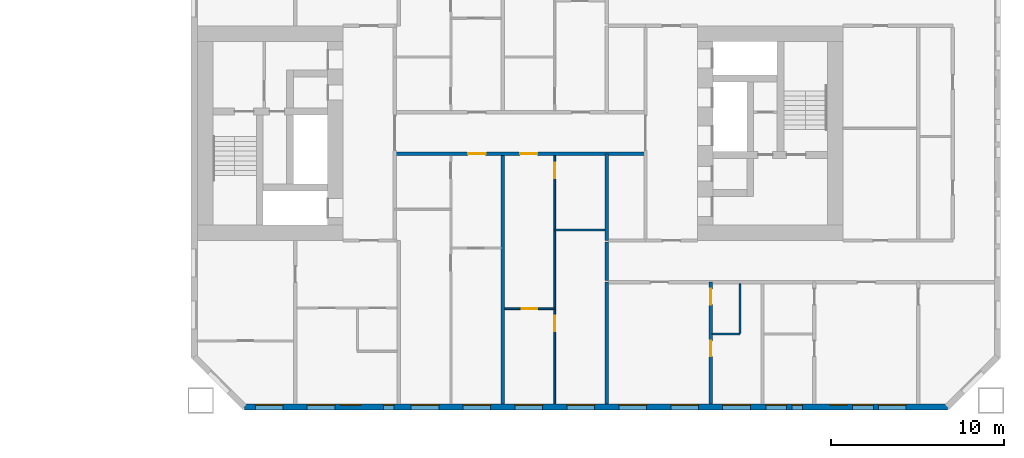
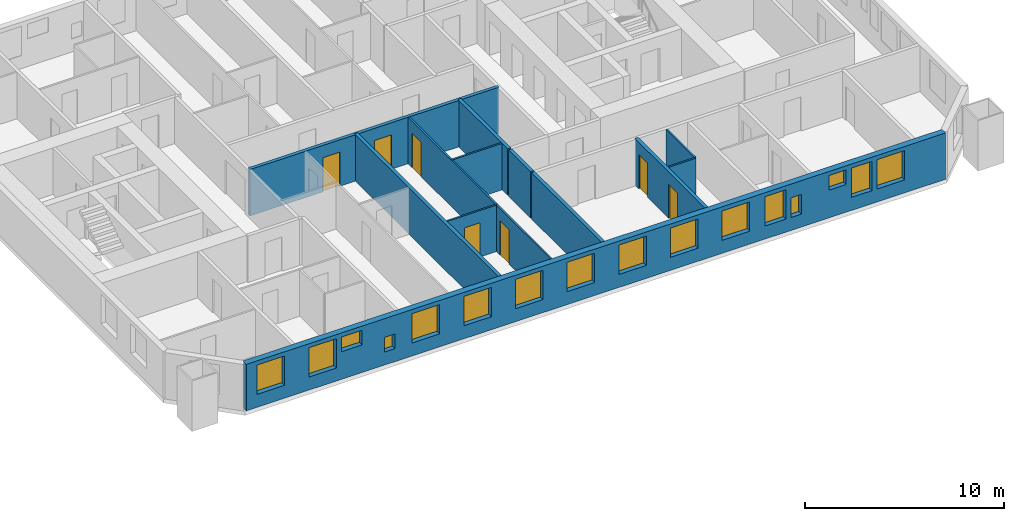
# One storey, part 11 of 17: 16 windows, 12 walls, 7 doors, 23 openings.
"""IFC4 building model written with IfcOpenShell, lengths in metres."""

from ifc_helpers import new_model, si_unit, direction, frame, frame_2d, origin, place, context, subcontext, project, spatial, rectangle, extrude, material, layer, layer_set, type_object, element, fill, save


model = new_model("IFC4")

# Units and contexts
model_context = context("Model", 3, precision=1e-05, world=origin(), true_north=direction((0.0, 1.0)))
body_context = subcontext(model_context, "Body", "Model", "MODEL_VIEW")
ifc_project = project(units=[si_unit("LENGTHUNIT", "METRE"), si_unit("AREAUNIT", "SQUARE_METRE"), si_unit("VOLUMEUNIT", "CUBIC_METRE"), si_unit("PLANEANGLEUNIT", "RADIAN"), si_unit("MASSUNIT", "GRAM", prefix="KILO")], contexts=[model_context])

# Site, building, storey
site_placement = place(None, origin())
site = spatial("IfcSite", under=ifc_project, at=site_placement, CompositionType="ELEMENT")
building_placement = place(site_placement, origin())
building = spatial("IfcBuilding", under=site, at=building_placement, Name="Tuart Gate Housing", CompositionType="ELEMENT")
storey_placement = place(building_placement, frame((0.0, 0.0, 25.699951171875)))
storey = spatial("IfcBuildingStorey", under=building, at=storey_placement, Name="L06", CompositionType="ELEMENT", Elevation=25.699951171875)

# Wall, openings, windows
ifc_material_1 = material(Name="Brick", Category="masonry")
ifc_layer_1 = layer(ifc_material_1, 0.360107421875)
ifc_layer_set_1 = layer_set([ifc_layer_1], Name="Brick pier and spandrel wall 360")
wall_type_1 = type_object("IfcWallType", Name="Brick pier and spandrel wall 360", PredefinedType="STANDARD", material=ifc_layer_set_1)
wall_1_placement = place(storey_placement, frame((134.07470703125, 54.179931640625, 0.0), z_axis=(0.0, 0.0, 1.0), x_axis=(1.0, 0.0, 0.0)))
wall_1 = element("IfcWall", 1, at=wall_1_placement, inside=storey, type_object=wall_type_1, Name="External wall B-S L06", PredefinedType="STANDARD", context=body_context, shape_type="SweptSolid", body=[
    extrude(rectangle(XDim=40.600830078125, YDim=0.360107421875, at=frame_2d((20.30029296875, 0.0))), origin(), (0.0, 0.0, 1.0), 2.85009765625),
])
opening_1_placement = place(wall_1_placement, frame((0.62548828125, 0.0, 0.800048828125)))
opening_1 = element("IfcOpeningElement", 2, at=opening_1_placement, cuts=wall_1, Name="Opening W1", PredefinedType="OPENING", context=body_context, shape_type="SweptSolid", body=[
    extrude(rectangle(XDim=1.60009765625, YDim=1.800048828125, at=frame_2d((0.800048828125, 0.89990234375))), frame((0.0, 0.18994140625, 0.0), z_axis=(0.0, -1.0, 0.0), x_axis=(1.0, 0.0, 0.0)), (0.0, 0.0, 1.0), 0.380126953125),
])
opening_2_placement = place(wall_1_placement, frame((3.62548828125, 0.0, 0.800048828125)))
opening_2 = element("IfcOpeningElement", 3, at=opening_2_placement, cuts=wall_1, Name="Opening W1", PredefinedType="OPENING", context=body_context, shape_type="SweptSolid", body=[
    extrude(rectangle(XDim=1.60009765625, YDim=1.800048828125, at=frame_2d((0.800048828125, 0.89990234375))), frame((0.0, 0.18994140625, 0.0), z_axis=(0.0, -1.0, 0.0), x_axis=(1.0, 0.0, 0.0)), (0.0, 0.0, 1.0), 0.380126953125),
])
opening_3_placement = place(wall_1_placement, frame((5.525390625, 0.0, 1.699951171875)))
opening_3 = element("IfcOpeningElement", 4, at=opening_3_placement, cuts=wall_1, Name="Opening W1T", PredefinedType="OPENING", context=body_context, shape_type="SweptSolid", body=[
    extrude(rectangle(XDim=1.199951171875, YDim=0.89990234375, at=frame_2d((0.60009765625, 0.449951171875))), frame((0.0, 0.18994140625, 0.0), z_axis=(0.0, -1.0, 0.0), x_axis=(1.0, 0.0, 0.0)), (0.0, 0.0, 1.0), 0.380126953125),
])
opening_4_placement = place(wall_1_placement, frame((9.62548828125, 0.0, 0.800048828125)))
opening_4 = element("IfcOpeningElement", 5, at=opening_4_placement, cuts=wall_1, Name="Opening W1", PredefinedType="OPENING", context=body_context, shape_type="SweptSolid", body=[
    extrude(rectangle(XDim=1.60009765625, YDim=1.800048828125, at=frame_2d((0.800048828125, 0.89990234375))), frame((0.0, 0.18994140625, 0.0), z_axis=(0.0, -1.0, 0.0), x_axis=(1.0, 0.0, 0.0)), (0.0, 0.0, 1.0), 0.380126953125),
])
opening_5_placement = place(wall_1_placement, frame((12.62548828125, 0.0, 0.800048828125)))
opening_5 = element("IfcOpeningElement", 6, at=opening_5_placement, cuts=wall_1, Name="Opening W1", PredefinedType="OPENING", context=body_context, shape_type="SweptSolid", body=[
    extrude(rectangle(XDim=1.60009765625, YDim=1.800048828125, at=frame_2d((0.800048828125, 0.89990234375))), frame((0.0, 0.18994140625, 0.0), z_axis=(0.0, -1.0, 0.0), x_axis=(1.0, 0.0, 0.0)), (0.0, 0.0, 1.0), 0.380126953125),
])
opening_6_placement = place(wall_1_placement, frame((15.62548828125, 0.0, 0.800048828125)))
opening_6 = element("IfcOpeningElement", 7, at=opening_6_placement, cuts=wall_1, Name="Opening W1", PredefinedType="OPENING", context=body_context, shape_type="SweptSolid", body=[
    extrude(rectangle(XDim=1.60009765625, YDim=1.800048828125, at=frame_2d((0.800048828125, 0.89990234375))), frame((0.0, 0.18994140625, 0.0), z_axis=(0.0, -1.0, 0.0), x_axis=(1.0, 0.0, 0.0)), (0.0, 0.0, 1.0), 0.380126953125),
])
opening_7_placement = place(wall_1_placement, frame((18.62548828125, 0.0, 0.800048828125)))
opening_7 = element("IfcOpeningElement", 8, at=opening_7_placement, cuts=wall_1, Name="Opening W1", PredefinedType="OPENING", context=body_context, shape_type="SweptSolid", body=[
    extrude(rectangle(XDim=1.60009765625, YDim=1.800048828125, at=frame_2d((0.800048828125, 0.89990234375))), frame((0.0, 0.18994140625, 0.0), z_axis=(0.0, -1.0, 0.0), x_axis=(1.0, 0.0, 0.0)), (0.0, 0.0, 1.0), 0.380126953125),
])
opening_8_placement = place(wall_1_placement, frame((21.62548828125, 0.0, 0.800048828125)))
opening_8 = element("IfcOpeningElement", 9, at=opening_8_placement, cuts=wall_1, Name="Opening W1", PredefinedType="OPENING", context=body_context, shape_type="SweptSolid", body=[
    extrude(rectangle(XDim=1.60009765625, YDim=1.800048828125, at=frame_2d((0.800048828125, 0.89990234375))), frame((0.0, 0.18994140625, 0.0), z_axis=(0.0, -1.0, 0.0), x_axis=(1.0, 0.0, 0.0)), (0.0, 0.0, 1.0), 0.380126953125),
])
opening_9_placement = place(wall_1_placement, frame((24.62548828125, 0.0, 0.800048828125)))
opening_9 = element("IfcOpeningElement", 10, at=opening_9_placement, cuts=wall_1, Name="Opening W1", PredefinedType="OPENING", context=body_context, shape_type="SweptSolid", body=[
    extrude(rectangle(XDim=1.60009765625, YDim=1.800048828125, at=frame_2d((0.800048828125, 0.89990234375))), frame((0.0, 0.18994140625, 0.0), z_axis=(0.0, -1.0, 0.0), x_axis=(1.0, 0.0, 0.0)), (0.0, 0.0, 1.0), 0.380126953125),
])
opening_10_placement = place(wall_1_placement, frame((27.62548828125, 0.0, 0.800048828125)))
opening_10 = element("IfcOpeningElement", 11, at=opening_10_placement, cuts=wall_1, Name="Opening W1", PredefinedType="OPENING", context=body_context, shape_type="SweptSolid", body=[
    extrude(rectangle(XDim=1.60009765625, YDim=1.800048828125, at=frame_2d((0.800048828125, 0.89990234375))), frame((0.0, 0.18994140625, 0.0), z_axis=(0.0, -1.0, 0.0), x_axis=(1.0, 0.0, 0.0)), (0.0, 0.0, 1.0), 0.380126953125),
])
opening_11_placement = place(wall_1_placement, frame((30.12548828125, 0.0, 0.800048828125)))
opening_11 = element("IfcOpeningElement", 12, at=opening_11_placement, cuts=wall_1, Name="Opening W1B", PredefinedType="OPENING", context=body_context, shape_type="SweptSolid", body=[
    extrude(rectangle(XDim=1.199951171875, YDim=1.800048828125, at=frame_2d((0.60009765625, 0.89990234375))), frame((0.0, 0.18994140625, 0.0), z_axis=(0.0, -1.0, 0.0), x_axis=(1.0, 0.0, 0.0)), (0.0, 0.0, 1.0), 0.380126953125),
])
opening_12_placement = place(wall_1_placement, frame((33.825439453125, 0.0, 1.699951171875)))
opening_12 = element("IfcOpeningElement", 13, at=opening_12_placement, cuts=wall_1, Name="Opening W1U", PredefinedType="OPENING", context=body_context, shape_type="SweptSolid", body=[
    extrude(rectangle(XDim=1.0, YDim=0.89990234375, at=frame_2d((0.5, 0.449951171875))), frame((0.0, 0.18994140625, 0.0), z_axis=(0.0, -1.0, 0.0), x_axis=(1.0, 0.0, 0.0)), (0.0, 0.0, 1.0), 0.380126953125),
])
opening_13_placement = place(wall_1_placement, frame((36.62548828125, 0.0, 0.800048828125)))
opening_13 = element("IfcOpeningElement", 14, at=opening_13_placement, cuts=wall_1, Name="Opening W1", PredefinedType="OPENING", context=body_context, shape_type="SweptSolid", body=[
    extrude(rectangle(XDim=1.60009765625, YDim=1.800048828125, at=frame_2d((0.800048828125, 0.89990234375))), frame((0.0, 0.18994140625, 0.0), z_axis=(0.0, -1.0, 0.0), x_axis=(1.0, 0.0, 0.0)), (0.0, 0.0, 1.0), 0.380126953125),
])
opening_14_placement = place(wall_1_placement, frame((8.025390625, 0.0, 0.800048828125)))
opening_14 = element("IfcOpeningElement", 15, at=opening_14_placement, cuts=wall_1, Name="Opening W1W", PredefinedType="OPENING", context=body_context, shape_type="SweptSolid", body=[
    extrude(rectangle(XDim=0.60009765625, YDim=0.89990234375, at=frame_2d((0.300048828125, 0.449951171875))), frame((0.0, 0.18994140625, 0.0), z_axis=(0.0, -1.0, 0.0), x_axis=(1.0, 0.0, 0.0)), (0.0, 0.0, 1.0), 0.380126953125),
])
opening_15_placement = place(wall_1_placement, frame((31.62548828125, 0.0, 0.800048828125)))
opening_15 = element("IfcOpeningElement", 16, at=opening_15_placement, cuts=wall_1, Name="Opening W1Q", PredefinedType="OPENING", context=body_context, shape_type="SweptSolid", body=[
    extrude(rectangle(XDim=0.60009765625, YDim=1.199951171875, at=frame_2d((0.300048828125, 0.60009765625))), frame((0.0, 0.18994140625, 0.0), z_axis=(0.0, -1.0, 0.0), x_axis=(1.0, 0.0, 0.0)), (0.0, 0.0, 1.0), 0.380126953125),
])
opening_16_placement = place(wall_1_placement, frame((35.12548828125, 0.0, 0.800048828125)))
opening_16 = element("IfcOpeningElement", 17, at=opening_16_placement, cuts=wall_1, Name="Opening W1B", PredefinedType="OPENING", context=body_context, shape_type="SweptSolid", body=[
    extrude(rectangle(XDim=1.199951171875, YDim=1.800048828125, at=frame_2d((0.60009765625, 0.89990234375))), frame((0.0, 0.18994140625, 0.0), z_axis=(0.0, -1.0, 0.0), x_axis=(1.0, 0.0, 0.0)), (0.0, 0.0, 1.0), 0.380126953125),
])
ifc_material_2 = material(Name="Aluminium frame with clear glass", Category="aluminium")
window_type_1 = type_object("IfcWindowType", Name="Punched window 1000 x 900", PartitioningType="SINGLE_PANEL", PredefinedType="WINDOW", material=ifc_material_2)
window_1_placement = place(opening_12_placement, origin())
window_1 = element("IfcWindow", 18, at=window_1_placement, inside=storey, type_object=window_type_1, Name="Window W1U", OverallHeight=0.89990234375, OverallWidth=1.0, PartitioningType="SINGLE_PANEL", PredefinedType="WINDOW", context=body_context, shape_type="SweptSolid", body=[
    extrude(rectangle(XDim=1.0, YDim=0.89990234375, at=frame_2d((0.5, 0.449951171875))), frame((0.0, 0.150146484375, 0.0), z_axis=(0.0, -1.0, 0.0), x_axis=(1.0, 0.0, 0.0)), (0.0, 0.0, 1.0), 0.06005859375),
])
fill(opening_12, window_1)
ifc_material_3 = material(Name="Aluminium frame with clear glass", Category="aluminium")
window_type_2 = type_object("IfcWindowType", Name="Punched window 1200 x 1800", PartitioningType="SINGLE_PANEL", PredefinedType="WINDOW", material=ifc_material_3)
window_2_placement = place(opening_11_placement, origin())
window_2 = element("IfcWindow", 19, at=window_2_placement, inside=storey, type_object=window_type_2, Name="Window W1B", OverallHeight=1.800048828125, OverallWidth=1.199951171875, PartitioningType="SINGLE_PANEL", PredefinedType="WINDOW", context=body_context, shape_type="SweptSolid", body=[
    extrude(rectangle(XDim=1.199951171875, YDim=1.800048828125, at=frame_2d((0.60009765625, 0.89990234375))), frame((0.0, 0.150146484375, 0.0), z_axis=(0.0, -1.0, 0.0), x_axis=(1.0, 0.0, 0.0)), (0.0, 0.0, 1.0), 0.06005859375),
])
fill(opening_11, window_2)
window_3_placement = place(opening_16_placement, origin())
window_3 = element("IfcWindow", 20, at=window_3_placement, inside=storey, type_object=window_type_2, Name="Window W1B", OverallHeight=1.800048828125, OverallWidth=1.199951171875, PartitioningType="SINGLE_PANEL", PredefinedType="WINDOW", context=body_context, shape_type="SweptSolid", body=[
    extrude(rectangle(XDim=1.199951171875, YDim=1.800048828125, at=frame_2d((0.60009765625, 0.89990234375))), frame((0.0, 0.150146484375, 0.0), z_axis=(0.0, -1.0, 0.0), x_axis=(1.0, 0.0, 0.0)), (0.0, 0.0, 1.0), 0.06005859375),
])
fill(opening_16, window_3)
ifc_material_4 = material(Name="Aluminium frame with clear glass", Category="aluminium")
window_type_3 = type_object("IfcWindowType", Name="Punched window 1200 x 900", PartitioningType="SINGLE_PANEL", PredefinedType="WINDOW", material=ifc_material_4)
window_4_placement = place(opening_3_placement, origin())
window_4 = element("IfcWindow", 21, at=window_4_placement, inside=storey, type_object=window_type_3, Name="Window W1T", OverallHeight=0.89990234375, OverallWidth=1.199951171875, PartitioningType="SINGLE_PANEL", PredefinedType="WINDOW", context=body_context, shape_type="SweptSolid", body=[
    extrude(rectangle(XDim=1.199951171875, YDim=0.89990234375, at=frame_2d((0.60009765625, 0.449951171875))), frame((0.0, 0.150146484375, 0.0), z_axis=(0.0, -1.0, 0.0), x_axis=(1.0, 0.0, 0.0)), (0.0, 0.0, 1.0), 0.06005859375),
])
fill(opening_3, window_4)
ifc_material_5 = material(Name="Aluminium frame with clear glass", Category="aluminium")
window_type_4 = type_object("IfcWindowType", Name="Punched window 1600 x 1800", PartitioningType="SINGLE_PANEL", PredefinedType="WINDOW", material=ifc_material_5)
window_5_placement = place(opening_1_placement, origin())
window_5 = element("IfcWindow", 22, at=window_5_placement, inside=storey, type_object=window_type_4, Name="Window W1", OverallHeight=1.800048828125, OverallWidth=1.60009765625, PartitioningType="SINGLE_PANEL", PredefinedType="WINDOW", context=body_context, shape_type="SweptSolid", body=[
    extrude(rectangle(XDim=1.60009765625, YDim=1.800048828125, at=frame_2d((0.800048828125, 0.89990234375))), frame((0.0, 0.150146484375, 0.0), z_axis=(0.0, -1.0, 0.0), x_axis=(1.0, 0.0, 0.0)), (0.0, 0.0, 1.0), 0.06005859375),
])
fill(opening_1, window_5)
window_6_placement = place(opening_2_placement, origin())
window_6 = element("IfcWindow", 23, at=window_6_placement, inside=storey, type_object=window_type_4, Name="Window W1", OverallHeight=1.800048828125, OverallWidth=1.60009765625, PartitioningType="SINGLE_PANEL", PredefinedType="WINDOW", context=body_context, shape_type="SweptSolid", body=[
    extrude(rectangle(XDim=1.60009765625, YDim=1.800048828125, at=frame_2d((0.800048828125, 0.89990234375))), frame((0.0, 0.150146484375, 0.0), z_axis=(0.0, -1.0, 0.0), x_axis=(1.0, 0.0, 0.0)), (0.0, 0.0, 1.0), 0.06005859375),
])
fill(opening_2, window_6)
window_7_placement = place(opening_4_placement, origin())
window_7 = element("IfcWindow", 24, at=window_7_placement, inside=storey, type_object=window_type_4, Name="Window W1", OverallHeight=1.800048828125, OverallWidth=1.60009765625, PartitioningType="SINGLE_PANEL", PredefinedType="WINDOW", context=body_context, shape_type="SweptSolid", body=[
    extrude(rectangle(XDim=1.60009765625, YDim=1.800048828125, at=frame_2d((0.800048828125, 0.89990234375))), frame((0.0, 0.150146484375, 0.0), z_axis=(0.0, -1.0, 0.0), x_axis=(1.0, 0.0, 0.0)), (0.0, 0.0, 1.0), 0.06005859375),
])
fill(opening_4, window_7)
window_8_placement = place(opening_5_placement, origin())
window_8 = element("IfcWindow", 25, at=window_8_placement, inside=storey, type_object=window_type_4, Name="Window W1", OverallHeight=1.800048828125, OverallWidth=1.60009765625, PartitioningType="SINGLE_PANEL", PredefinedType="WINDOW", context=body_context, shape_type="SweptSolid", body=[
    extrude(rectangle(XDim=1.60009765625, YDim=1.800048828125, at=frame_2d((0.800048828125, 0.89990234375))), frame((0.0, 0.150146484375, 0.0), z_axis=(0.0, -1.0, 0.0), x_axis=(1.0, 0.0, 0.0)), (0.0, 0.0, 1.0), 0.06005859375),
])
fill(opening_5, window_8)
window_9_placement = place(opening_6_placement, origin())
window_9 = element("IfcWindow", 26, at=window_9_placement, inside=storey, type_object=window_type_4, Name="Window W1", OverallHeight=1.800048828125, OverallWidth=1.60009765625, PartitioningType="SINGLE_PANEL", PredefinedType="WINDOW", context=body_context, shape_type="SweptSolid", body=[
    extrude(rectangle(XDim=1.60009765625, YDim=1.800048828125, at=frame_2d((0.800048828125, 0.89990234375))), frame((0.0, 0.150146484375, 0.0), z_axis=(0.0, -1.0, 0.0), x_axis=(1.0, 0.0, 0.0)), (0.0, 0.0, 1.0), 0.06005859375),
])
fill(opening_6, window_9)
window_10_placement = place(opening_7_placement, origin())
window_10 = element("IfcWindow", 27, at=window_10_placement, inside=storey, type_object=window_type_4, Name="Window W1", OverallHeight=1.800048828125, OverallWidth=1.60009765625, PartitioningType="SINGLE_PANEL", PredefinedType="WINDOW", context=body_context, shape_type="SweptSolid", body=[
    extrude(rectangle(XDim=1.60009765625, YDim=1.800048828125, at=frame_2d((0.800048828125, 0.89990234375))), frame((0.0, 0.150146484375, 0.0), z_axis=(0.0, -1.0, 0.0), x_axis=(1.0, 0.0, 0.0)), (0.0, 0.0, 1.0), 0.06005859375),
])
fill(opening_7, window_10)
window_11_placement = place(opening_8_placement, origin())
window_11 = element("IfcWindow", 28, at=window_11_placement, inside=storey, type_object=window_type_4, Name="Window W1", OverallHeight=1.800048828125, OverallWidth=1.60009765625, PartitioningType="SINGLE_PANEL", PredefinedType="WINDOW", context=body_context, shape_type="SweptSolid", body=[
    extrude(rectangle(XDim=1.60009765625, YDim=1.800048828125, at=frame_2d((0.800048828125, 0.89990234375))), frame((0.0, 0.150146484375, 0.0), z_axis=(0.0, -1.0, 0.0), x_axis=(1.0, 0.0, 0.0)), (0.0, 0.0, 1.0), 0.06005859375),
])
fill(opening_8, window_11)
window_12_placement = place(opening_9_placement, origin())
window_12 = element("IfcWindow", 29, at=window_12_placement, inside=storey, type_object=window_type_4, Name="Window W1", OverallHeight=1.800048828125, OverallWidth=1.60009765625, PartitioningType="SINGLE_PANEL", PredefinedType="WINDOW", context=body_context, shape_type="SweptSolid", body=[
    extrude(rectangle(XDim=1.60009765625, YDim=1.800048828125, at=frame_2d((0.800048828125, 0.89990234375))), frame((0.0, 0.150146484375, 0.0), z_axis=(0.0, -1.0, 0.0), x_axis=(1.0, 0.0, 0.0)), (0.0, 0.0, 1.0), 0.06005859375),
])
fill(opening_9, window_12)
window_13_placement = place(opening_10_placement, origin())
window_13 = element("IfcWindow", 30, at=window_13_placement, inside=storey, type_object=window_type_4, Name="Window W1", OverallHeight=1.800048828125, OverallWidth=1.60009765625, PartitioningType="SINGLE_PANEL", PredefinedType="WINDOW", context=body_context, shape_type="SweptSolid", body=[
    extrude(rectangle(XDim=1.60009765625, YDim=1.800048828125, at=frame_2d((0.800048828125, 0.89990234375))), frame((0.0, 0.150146484375, 0.0), z_axis=(0.0, -1.0, 0.0), x_axis=(1.0, 0.0, 0.0)), (0.0, 0.0, 1.0), 0.06005859375),
])
fill(opening_10, window_13)
window_14_placement = place(opening_13_placement, origin())
window_14 = element("IfcWindow", 31, at=window_14_placement, inside=storey, type_object=window_type_4, Name="Window W1", OverallHeight=1.800048828125, OverallWidth=1.60009765625, PartitioningType="SINGLE_PANEL", PredefinedType="WINDOW", context=body_context, shape_type="SweptSolid", body=[
    extrude(rectangle(XDim=1.60009765625, YDim=1.800048828125, at=frame_2d((0.800048828125, 0.89990234375))), frame((0.0, 0.150146484375, 0.0), z_axis=(0.0, -1.0, 0.0), x_axis=(1.0, 0.0, 0.0)), (0.0, 0.0, 1.0), 0.06005859375),
])
fill(opening_13, window_14)
ifc_material_6 = material(Name="Aluminium frame with clear glass", Category="aluminium")
window_type_5 = type_object("IfcWindowType", Name="Punched window 600 x 1200", PartitioningType="SINGLE_PANEL", PredefinedType="WINDOW", material=ifc_material_6)
window_15_placement = place(opening_15_placement, origin())
window_15 = element("IfcWindow", 32, at=window_15_placement, inside=storey, type_object=window_type_5, Name="Window W1Q", OverallHeight=1.199951171875, OverallWidth=0.60009765625, PartitioningType="SINGLE_PANEL", PredefinedType="WINDOW", context=body_context, shape_type="SweptSolid", body=[
    extrude(rectangle(XDim=0.60009765625, YDim=1.199951171875, at=frame_2d((0.300048828125, 0.60009765625))), frame((0.0, 0.150146484375, 0.0), z_axis=(0.0, -1.0, 0.0), x_axis=(1.0, 0.0, 0.0)), (0.0, 0.0, 1.0), 0.06005859375),
])
fill(opening_15, window_15)
ifc_material_7 = material(Name="Aluminium frame with clear glass", Category="aluminium")
window_type_6 = type_object("IfcWindowType", Name="Punched window 600 x 900", PartitioningType="SINGLE_PANEL", PredefinedType="WINDOW", material=ifc_material_7)
window_16_placement = place(opening_14_placement, origin())
window_16 = element("IfcWindow", 33, at=window_16_placement, inside=storey, type_object=window_type_6, Name="Window W1W", OverallHeight=0.89990234375, OverallWidth=0.60009765625, PartitioningType="SINGLE_PANEL", PredefinedType="WINDOW", context=body_context, shape_type="SweptSolid", body=[
    extrude(rectangle(XDim=0.60009765625, YDim=0.89990234375, at=frame_2d((0.300048828125, 0.449951171875))), frame((0.0, 0.150146484375, 0.0), z_axis=(0.0, -1.0, 0.0), x_axis=(1.0, 0.0, 0.0)), (0.0, 0.0, 1.0), 0.06005859375),
])
fill(opening_14, window_16)

# Wall, openings, doors
ifc_material_8 = material(Name="Concrete masonry 15 MPa", Category="masonry")
ifc_layer_2 = layer(ifc_material_8, 0.199951171875)
ifc_layer_set_2 = layer_set([ifc_layer_2], Name="Corridor wall masonry 200")
wall_type_2 = type_object("IfcWallType", Name="Corridor wall masonry 200", PredefinedType="PARTITIONING", material=ifc_layer_set_2)
wall_2_placement = place(storey_placement, frame((142.760009765625, 68.800048828125, 0.0), z_axis=(0.0, 0.0, 1.0), x_axis=(1.0, 0.0, 0.0)))
wall_2 = element("IfcWall", 34, at=wall_2_placement, inside=storey, type_object=wall_type_2, Name="Corridor wall masonry 200", PredefinedType="PARTITIONING", context=body_context, shape_type="SweptSolid", body=[
    extrude(rectangle(XDim=14.47998046875, YDim=0.199951171875, at=frame_2d((7.239990234375, 0.0))), origin(), (0.0, 0.0, 1.0), 2.85009765625),
])
opening_17_placement = place(wall_2_placement, frame((4.239990234375, 0.0, 0.0)))
opening_17 = element("IfcOpeningElement", 35, at=opening_17_placement, cuts=wall_2, Name="Opening D443", PredefinedType="OPENING", context=body_context, shape_type="SweptSolid", body=[
    extrude(rectangle(XDim=1.0, YDim=2.10009765625, at=frame_2d((0.5, 1.050048828125))), frame((0.0, 0.10986328125, 0.0), z_axis=(0.0, -1.0, 0.0), x_axis=(1.0, 0.0, 0.0)), (0.0, 0.0, 1.0), 0.219970703125),
])
opening_18_placement = place(wall_2_placement, frame((7.239990234375, 0.0, 0.0)))
opening_18 = element("IfcOpeningElement", 36, at=opening_18_placement, cuts=wall_2, Name="Opening D444", PredefinedType="OPENING", context=body_context, shape_type="SweptSolid", body=[
    extrude(rectangle(XDim=1.0, YDim=2.10009765625, at=frame_2d((0.5, 1.050048828125))), frame((0.0, 0.10986328125, 0.0), z_axis=(0.0, -1.0, 0.0), x_axis=(1.0, 0.0, 0.0)), (0.0, 0.0, 1.0), 0.219970703125),
])
ifc_material_9 = material(Name="Timber door leaf in steel frame", Category="steel")
door_type_1 = type_object("IfcDoorType", Name="Flat entrance door 1000 RH", OperationType="SINGLE_SWING_RIGHT", PredefinedType="DOOR", material=ifc_material_9)
door_1_placement = place(opening_17_placement, frame((1.0, 0.0, 0.0), z_axis=(0.0, 0.0, 1.0), x_axis=(-1.0, 0.0, 0.0)))
door_1 = element("IfcDoor", 37, at=door_1_placement, inside=storey, type_object=door_type_1, Name="Flat entrance door", OperationType="SINGLE_SWING_RIGHT", OverallHeight=2.10009765625, OverallWidth=1.0, PredefinedType="DOOR", context=body_context, shape_type="SweptSolid", body=[
    extrude(rectangle(XDim=1.0, YDim=2.10009765625, at=frame_2d((0.5, 1.050048828125))), frame((0.0, 0.025146484375, 0.0), z_axis=(0.0, -1.0, 0.0), x_axis=(1.0, 0.0, 0.0)), (0.0, 0.0, 1.0), 0.050048828125),
])
fill(opening_17, door_1)
door_2_placement = place(opening_18_placement, frame((1.0, 0.0, 0.0), z_axis=(0.0, 0.0, 1.0), x_axis=(-1.0, 0.0, 0.0)))
door_2 = element("IfcDoor", 38, at=door_2_placement, inside=storey, type_object=door_type_1, Name="Flat entrance door", OperationType="SINGLE_SWING_RIGHT", OverallHeight=2.10009765625, OverallWidth=1.0, PredefinedType="DOOR", context=body_context, shape_type="SweptSolid", body=[
    extrude(rectangle(XDim=1.0, YDim=2.10009765625, at=frame_2d((0.5, 1.050048828125))), frame((0.0, 0.025146484375, 0.0), z_axis=(0.0, -1.0, 0.0), x_axis=(1.0, 0.0, 0.0)), (0.0, 0.0, 1.0), 0.050048828125),
])
fill(opening_18, door_2)

# Walls
wall_3_placement = place(storey_placement, frame((155.0, 61.5, 0.0), z_axis=(0.0, 0.0, 1.0), x_axis=(0.0, 1.0, 0.0)))
element("IfcWall", 39, at=wall_3_placement, inside=storey, type_object=wall_type_2, Name="Corridor wall masonry 200", PredefinedType="PARTITIONING", context=body_context, shape_type="SweptSolid", body=[
    extrude(rectangle(XDim=2.199951171875, YDim=0.199951171875, at=frame_2d((1.10009765625, 0.0))), origin(), (0.0, 0.0, 1.0), 2.85009765625),
])
ifc_material_10 = material(Name="Gypsum board on steel studs", Category="steel")
ifc_layer_3 = layer(ifc_material_10, 0.10009765625)
ifc_layer_set_3 = layer_set([ifc_layer_3], Name="Partition 100")
wall_type_3 = type_object("IfcWallType", Name="Partition 100", PredefinedType="PARTITIONING", material=ifc_layer_set_3)
wall_4_placement = place(storey_placement, frame((161.10009765625, 58.39990234375, 0.0), z_axis=(0.0, 0.0, 1.0), x_axis=(1.0, 0.0, 0.0)))
element("IfcWall", 40, at=wall_4_placement, inside=storey, type_object=wall_type_3, Name="Partition 100", PredefinedType="PARTITIONING", context=body_context, shape_type="SweptSolid", body=[
    extrude(rectangle(XDim=1.599853515625, YDim=0.10009765625, at=frame_2d((0.7998046875, 0.0))), origin(), (0.0, 0.0, 1.0), 2.85009765625),
])

# Wall, opening, door
wall_5_placement = place(storey_placement, frame((149.10009765625, 59.860107421875, 0.0), z_axis=(0.0, 0.0, 1.0), x_axis=(1.0, 0.0, 0.0)))
wall_5 = element("IfcWall", 41, at=wall_5_placement, inside=storey, type_object=wall_type_3, Name="Partition 100", PredefinedType="PARTITIONING", context=body_context, shape_type="SweptSolid", body=[
    extrude(rectangle(XDim=2.89990234375, YDim=0.10009765625, at=frame_2d((1.449951171875, 0.0))), origin(), (0.0, 0.0, 1.0), 2.85009765625),
])
opening_19_placement = place(wall_5_placement, frame((1.0, 0.0, 0.0)))
opening_19 = element("IfcOpeningElement", 42, at=opening_19_placement, cuts=wall_5, Name="Opening D459", PredefinedType="OPENING", context=body_context, shape_type="SweptSolid", body=[
    extrude(rectangle(XDim=0.89990234375, YDim=2.10009765625, at=frame_2d((0.449951171875, 1.050048828125))), frame((0.0, 0.06005859375, 0.0), z_axis=(0.0, -1.0, 0.0), x_axis=(1.0, 0.0, 0.0)), (0.0, 0.0, 1.0), 0.1201171875),
])
ifc_material_11 = material(Name="Timber door leaf in steel frame", Category="steel")
door_type_2 = type_object("IfcDoorType", Name="Internal door 900 RH", OperationType="SINGLE_SWING_RIGHT", PredefinedType="DOOR", material=ifc_material_11)
door_3_placement = place(opening_19_placement, origin())
door_3 = element("IfcDoor", 43, at=door_3_placement, inside=storey, type_object=door_type_2, Name="Internal door", OperationType="SINGLE_SWING_RIGHT", OverallHeight=2.10009765625, OverallWidth=0.89990234375, PredefinedType="DOOR", context=body_context, shape_type="SweptSolid", body=[
    extrude(rectangle(XDim=0.89990234375, YDim=2.10009765625, at=frame_2d((0.449951171875, 1.050048828125))), frame((0.0, 0.02490234375, 0.0), z_axis=(0.0, -1.0, 0.0), x_axis=(1.0, 0.0, 0.0)), (0.0, 0.0, 1.0), 0.050048828125),
])
fill(opening_19, door_3)

# Wall
wall_6_placement = place(storey_placement, frame((152.0, 64.39990234375, 0.0), z_axis=(0.0, 0.0, 1.0), x_axis=(1.0, 0.0, 0.0)))
element("IfcWall", 44, at=wall_6_placement, inside=storey, type_object=wall_type_3, Name="Partition 100", PredefinedType="PARTITIONING", context=body_context, shape_type="SweptSolid", body=[
    extrude(rectangle(XDim=2.89990234375, YDim=0.10009765625, at=frame_2d((1.449951171875, 0.0))), origin(), (0.0, 0.0, 1.0), 2.85009765625),
])

# Wall, openings, doors
wall_7_placement = place(storey_placement, frame((152.0, 54.360107421875, 0.0), z_axis=(0.0, 0.0, 1.0), x_axis=(0.0, 1.0, 0.0)))
wall_7 = element("IfcWall", 45, at=wall_7_placement, inside=storey, type_object=wall_type_3, Name="Partition 100", PredefinedType="PARTITIONING", context=body_context, shape_type="SweptSolid", body=[
    extrude(rectangle(XDim=14.33984375, YDim=0.10009765625, at=frame_2d((7.169921875, 0.0))), origin(), (0.0, 0.0, 1.0), 2.85009765625),
])
opening_20_placement = place(wall_7_placement, frame((4.199951171875, 0.0, 0.0)))
opening_20 = element("IfcOpeningElement", 46, at=opening_20_placement, cuts=wall_7, Name="Opening D454", PredefinedType="OPENING", context=body_context, shape_type="SweptSolid", body=[
    extrude(rectangle(XDim=0.89990234375, YDim=2.10009765625, at=frame_2d((0.449951171875, 1.050048828125))), frame((0.0, 0.06005859375, 0.0), z_axis=(0.0, -1.0, 0.0), x_axis=(1.0, 0.0, 0.0)), (0.0, 0.0, 1.0), 0.1201171875),
])
opening_21_placement = place(wall_7_placement, frame((13.0400390625, 0.0, 0.0)))
opening_21 = element("IfcOpeningElement", 47, at=opening_21_placement, cuts=wall_7, Name="Opening D453", PredefinedType="OPENING", context=body_context, shape_type="SweptSolid", body=[
    extrude(rectangle(XDim=0.89990234375, YDim=2.10009765625, at=frame_2d((0.449951171875, 1.050048828125))), frame((0.0, 0.06005859375, 0.0), z_axis=(0.0, -1.0, 0.0), x_axis=(1.0, 0.0, 0.0)), (0.0, 0.0, 1.0), 0.1201171875),
])
ifc_material_12 = material(Name="Timber door leaf in steel frame", Category="steel")
door_type_3 = type_object("IfcDoorType", Name="Bathroom door 900", OperationType="SINGLE_SWING_LEFT", PredefinedType="DOOR", material=ifc_material_12)
door_4_placement = place(opening_21_placement, frame((0.89990234375, 0.0, 0.0), z_axis=(0.0, 0.0, 1.0), x_axis=(-1.0, 0.0, 0.0)))
door_4 = element("IfcDoor", 48, at=door_4_placement, inside=storey, type_object=door_type_3, Name="Bathroom door", OperationType="SINGLE_SWING_LEFT", OverallHeight=2.10009765625, OverallWidth=0.89990234375, PredefinedType="DOOR", context=body_context, shape_type="SweptSolid", body=[
    extrude(rectangle(XDim=0.89990234375, YDim=2.10009765625, at=frame_2d((0.449951171875, 1.050048828125))), frame((0.0, 0.025146484375, 0.0), z_axis=(0.0, -1.0, 0.0), x_axis=(1.0, 0.0, 0.0)), (0.0, 0.0, 1.0), 0.050048828125),
])
fill(opening_21, door_4)
door_5_placement = place(opening_20_placement, frame((0.89990234375, 0.0, 0.0), z_axis=(0.0, 0.0, 1.0), x_axis=(-1.0, 0.0, 0.0)))
door_5 = element("IfcDoor", 49, at=door_5_placement, inside=storey, type_object=door_type_2, Name="Internal door", OperationType="SINGLE_SWING_RIGHT", OverallHeight=2.10009765625, OverallWidth=0.89990234375, PredefinedType="DOOR", context=body_context, shape_type="SweptSolid", body=[
    extrude(rectangle(XDim=0.89990234375, YDim=2.10009765625, at=frame_2d((0.449951171875, 1.050048828125))), frame((0.0, 0.025146484375, 0.0), z_axis=(0.0, -1.0, 0.0), x_axis=(1.0, 0.0, 0.0)), (0.0, 0.0, 1.0), 0.050048828125),
])
fill(opening_20, door_5)

# Walls
wall_8_placement = place(storey_placement, frame((162.699951171875, 58.449951171875, 0.0), z_axis=(0.0, 0.0, 1.0), x_axis=(0.0, 1.0, 0.0)))
element("IfcWall", 50, at=wall_8_placement, inside=storey, type_object=wall_type_3, Name="Partition 100", PredefinedType="PARTITIONING", context=body_context, shape_type="SweptSolid", body=[
    extrude(rectangle(XDim=2.85009765625, YDim=0.10009765625, at=frame_2d((1.425048828125, 0.0))), origin(), (0.0, 0.0, 1.0), 2.85009765625),
])
ifc_material_13 = material(Name="Concrete C40", Category="concrete")
ifc_layer_4 = layer(ifc_material_13, 0.199951171875)
ifc_layer_set_4 = layer_set([ifc_layer_4], Name="Party wall concrete C40 200")
wall_type_4 = type_object("IfcWallType", Name="Party wall concrete C40 200", PredefinedType="SOLIDWALL", material=ifc_layer_set_4)
wall_9_placement = place(storey_placement, frame((149.0, 54.360107421875, 0.0), z_axis=(0.0, 0.0, 1.0), x_axis=(0.0, 1.0, 0.0)))
element("IfcWall", 51, at=wall_9_placement, inside=storey, type_object=wall_type_4, Name="Party wall concrete C40 200", PredefinedType="SOLIDWALL", context=body_context, shape_type="SweptSolid", body=[
    extrude(rectangle(XDim=14.43994140625, YDim=0.199951171875, at=frame_2d((7.219970703125, 0.0))), origin(), (0.0, 0.0, 1.0), 2.85009765625),
])
wall_10_placement = place(storey_placement, frame((155.0, 54.360107421875, 0.0), z_axis=(0.0, 0.0, 1.0), x_axis=(0.0, 1.0, 0.0)))
element("IfcWall", 52, at=wall_10_placement, inside=storey, type_object=wall_type_4, Name="Party wall concrete C40 200", PredefinedType="SOLIDWALL", context=body_context, shape_type="SweptSolid", body=[
    extrude(rectangle(XDim=7.039794921875, YDim=0.199951171875, at=frame_2d((3.52001953125, 0.0))), origin(), (0.0, 0.0, 1.0), 2.85009765625),
])
wall_11_placement = place(storey_placement, frame((155.0, 63.800048828125, 0.0), z_axis=(0.0, 0.0, 1.0), x_axis=(0.0, 1.0, 0.0)))
element("IfcWall", 53, at=wall_11_placement, inside=storey, type_object=wall_type_4, Name="Party wall concrete C40 200", PredefinedType="SOLIDWALL", context=body_context, shape_type="SweptSolid", body=[
    extrude(rectangle(XDim=5.0, YDim=0.199951171875, at=frame_2d((2.5, 0.0))), origin(), (0.0, 0.0, 1.0), 2.85009765625),
])

# Wall, openings, doors
wall_12_placement = place(storey_placement, frame((161.0, 54.360107421875, 0.0), z_axis=(0.0, 0.0, 1.0), x_axis=(0.0, 1.0, 0.0)))
wall_12 = element("IfcWall", 54, at=wall_12_placement, inside=storey, type_object=wall_type_4, Name="Party wall concrete C40 200", PredefinedType="SOLIDWALL", context=body_context, shape_type="SweptSolid", body=[
    extrude(rectangle(XDim=7.039794921875, YDim=0.199951171875, at=frame_2d((3.52001953125, 0.0))), origin(), (0.0, 0.0, 1.0), 2.85009765625),
])
opening_22_placement = place(wall_12_placement, frame((2.739990234375, 0.0, 0.0)))
opening_22 = element("IfcOpeningElement", 55, at=opening_22_placement, cuts=wall_12, Name="Opening D463", PredefinedType="OPENING", context=body_context, shape_type="SweptSolid", body=[
    extrude(rectangle(XDim=0.89990234375, YDim=2.10009765625, at=frame_2d((0.449951171875, 1.050048828125))), frame((0.0, 0.10986328125, 0.0), z_axis=(0.0, -1.0, 0.0), x_axis=(1.0, 0.0, 0.0)), (0.0, 0.0, 1.0), 0.219970703125),
])
opening_23_placement = place(wall_12_placement, frame((5.739990234375, 0.0, 0.0)))
opening_23 = element("IfcOpeningElement", 56, at=opening_23_placement, cuts=wall_12, Name="Opening D462", PredefinedType="OPENING", context=body_context, shape_type="SweptSolid", body=[
    extrude(rectangle(XDim=0.89990234375, YDim=2.10009765625, at=frame_2d((0.449951171875, 1.050048828125))), frame((0.0, 0.10986328125, 0.0), z_axis=(0.0, -1.0, 0.0), x_axis=(1.0, 0.0, 0.0)), (0.0, 0.0, 1.0), 0.219970703125),
])
door_6_placement = place(opening_23_placement, frame((0.89990234375, 0.0, 0.0), z_axis=(0.0, 0.0, 1.0), x_axis=(-1.0, 0.0, 0.0)))
door_6 = element("IfcDoor", 57, at=door_6_placement, inside=storey, type_object=door_type_3, Name="Bathroom door", OperationType="SINGLE_SWING_LEFT", OverallHeight=2.10009765625, OverallWidth=0.89990234375, PredefinedType="DOOR", context=body_context, shape_type="SweptSolid", body=[
    extrude(rectangle(XDim=0.89990234375, YDim=2.10009765625, at=frame_2d((0.449951171875, 1.050048828125))), frame((0.0, 0.025146484375, 0.0), z_axis=(0.0, -1.0, 0.0), x_axis=(1.0, 0.0, 0.0)), (0.0, 0.0, 1.0), 0.050048828125),
])
fill(opening_23, door_6)
ifc_material_14 = material(Name="Timber door leaf in steel frame", Category="steel")
door_type_4 = type_object("IfcDoorType", Name="Internal door 900", OperationType="SINGLE_SWING_LEFT", PredefinedType="DOOR", material=ifc_material_14)
door_7_placement = place(opening_22_placement, frame((0.89990234375, 0.0, 0.0), z_axis=(0.0, 0.0, 1.0), x_axis=(-1.0, 0.0, 0.0)))
door_7 = element("IfcDoor", 58, at=door_7_placement, inside=storey, type_object=door_type_4, Name="Internal door", OperationType="SINGLE_SWING_LEFT", OverallHeight=2.10009765625, OverallWidth=0.89990234375, PredefinedType="DOOR", context=body_context, shape_type="SweptSolid", body=[
    extrude(rectangle(XDim=0.89990234375, YDim=2.10009765625, at=frame_2d((0.449951171875, 1.050048828125))), frame((0.0, 0.025146484375, 0.0), z_axis=(0.0, -1.0, 0.0), x_axis=(1.0, 0.0, 0.0)), (0.0, 0.0, 1.0), 0.050048828125),
])
fill(opening_22, door_7)

save(model, "model.ifc")
